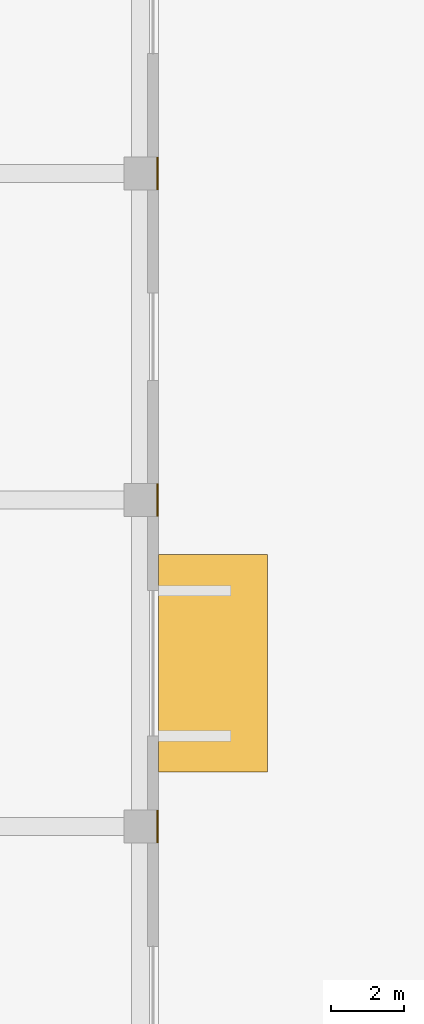
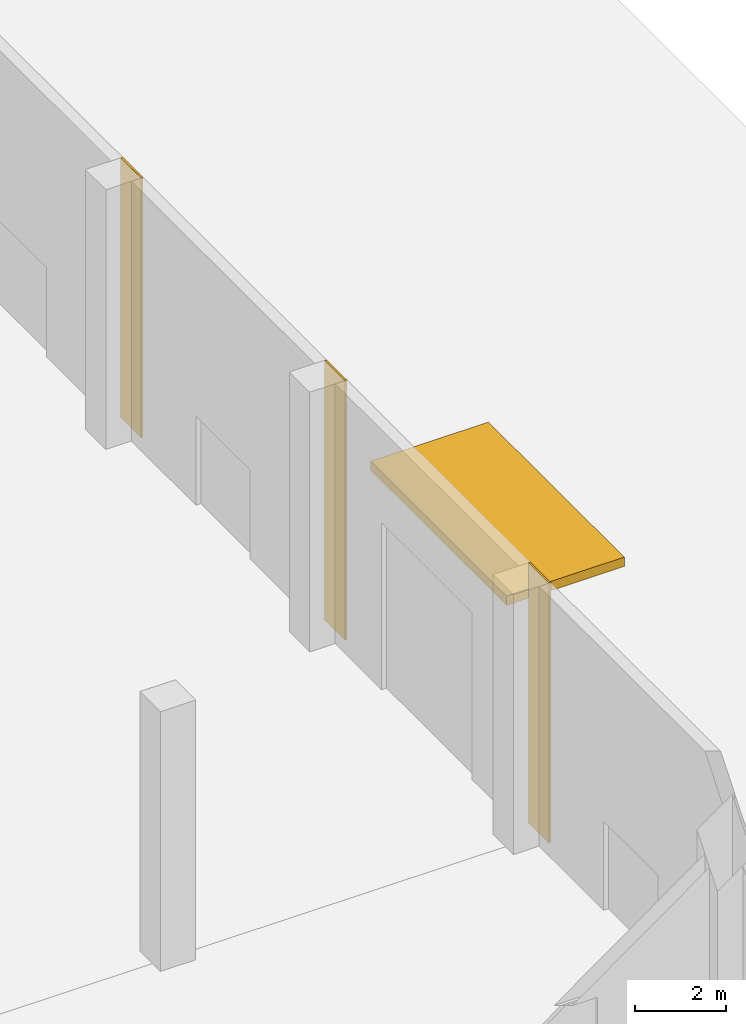
# One storey, part 82 of 92: 3 coverings, 1 shading device.
"""IFC4 building model written with IfcOpenShell, lengths in metres."""

from ifc_helpers import new_model, si_unit, direction, frame, origin, origin_2d, place, context, subcontext, project, spatial, polyline, rectangle, outline, extrude, material, layer, layer_set, type_object, element, save


model = new_model("IFC4")

# Units and contexts
model_context = context("Model", 3, precision=1e-05, world=origin(), true_north=direction((0.0, 1.0)))
body_context = subcontext(model_context, "Body", "Model", "MODEL_VIEW")
ifc_project = project(units=[si_unit("LENGTHUNIT", "METRE"), si_unit("AREAUNIT", "SQUARE_METRE"), si_unit("VOLUMEUNIT", "CUBIC_METRE"), si_unit("PLANEANGLEUNIT", "RADIAN"), si_unit("MASSUNIT", "GRAM", prefix="KILO")], contexts=[model_context])

# Site, building, storey
site_placement = place(None, origin())
site = spatial("IfcSite", under=ifc_project, at=site_placement, CompositionType="ELEMENT")
building_placement = place(site_placement, origin())
building = spatial("IfcBuilding", under=site, at=building_placement, Name="Silverbay Arena", CompositionType="ELEMENT")
storey_placement = place(building_placement, origin())
storey = spatial("IfcBuildingStorey", under=building, at=storey_placement, Name="L00", CompositionType="ELEMENT", Elevation=0.0)

# Coverings
ifc_material_1 = material(Name="Aluminium composite cladding", Category="aluminium")
ifc_layer = layer(ifc_material_1, 0.050048828125)
ifc_layer_set = layer_set([ifc_layer], Name="Aluminium composite cladding")
covering_type = type_object("IfcCoveringType", Name="Column cladding 50", PredefinedType="CLADDING", material=ifc_layer_set)
covering_1_placement = place(storey_placement, origin())
element("IfcCovering", 1, at=covering_1_placement, inside=storey, type_object=covering_type, Name="East column cladding L00 90", PredefinedType="CLADDING", context=body_context, shape_type="SweptSolid", body=[
    extrude(outline(polyline([(234.449951171875, 98.550048828125), (234.5, 98.550048828125), (234.5, 99.449951171875), (234.449951171875, 99.449951171875), (234.449951171875, 98.550048828125)])), origin(), (0.0, 0.0, 1.0), 7.0),
])
covering_2_placement = place(storey_placement, origin())
element("IfcCovering", 2, at=covering_2_placement, inside=storey, type_object=covering_type, Name="East column cladding L00 91", PredefinedType="CLADDING", context=body_context, shape_type="SweptSolid", body=[
    extrude(outline(polyline([(234.449951171875, 107.550048828125), (234.5, 107.550048828125), (234.5, 108.449951171875), (234.449951171875, 108.449951171875), (234.449951171875, 107.550048828125)])), origin(), (0.0, 0.0, 1.0), 7.0),
])
covering_3_placement = place(storey_placement, origin())
element("IfcCovering", 3, at=covering_3_placement, inside=storey, type_object=covering_type, Name="East column cladding L00 92", PredefinedType="CLADDING", context=body_context, shape_type="SweptSolid", body=[
    extrude(outline(polyline([(234.449951171875, 116.550048828125), (234.5, 116.550048828125), (234.5, 117.449951171875), (234.449951171875, 117.449951171875), (234.449951171875, 116.550048828125)])), origin(), (0.0, 0.0, 1.0), 7.0),
])

# Shading device
ifc_material_2 = material(Name="Steel S355", Category="steel")
shading_device_type = type_object("IfcShadingDeviceType", Name="Loading dock canopy 6000 x 3000", PredefinedType="AWNING", material=ifc_material_2)
shading_device_placement = place(storey_placement, frame((236.0, 103.5, 5.199951171875), z_axis=(0.0, 0.0, 1.0), x_axis=(0.0, 1.0, 0.0)))
element("IfcShadingDevice", 4, at=shading_device_placement, inside=storey, type_object=shading_device_type, Name="East loading dock canopy L00 bay 10", PredefinedType="AWNING", context=body_context, shape_type="SweptSolid", body=[
    extrude(rectangle(XDim=6.0, YDim=3.0, at=origin_2d()), origin(), (0.0, 0.0, 1.0), 0.25),
])

save(model, "model.ifc")
